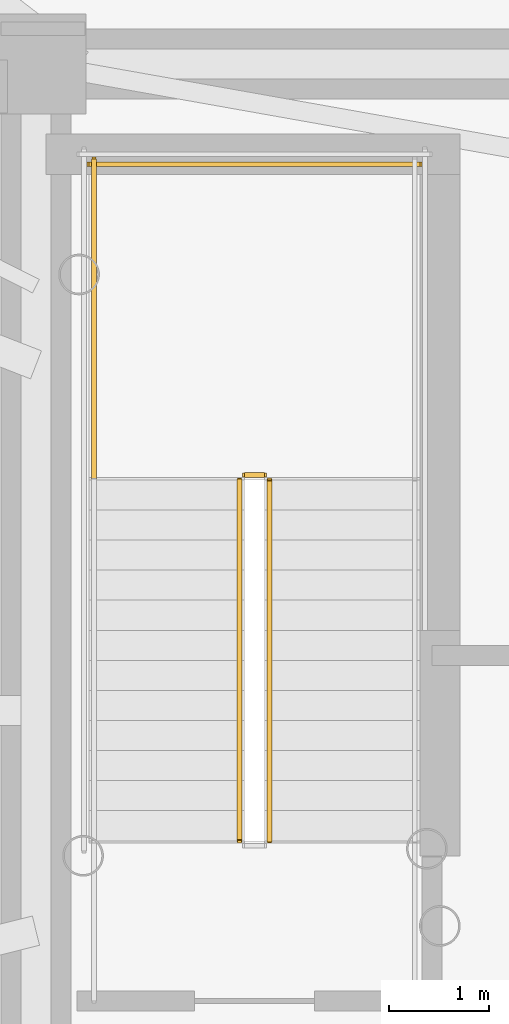
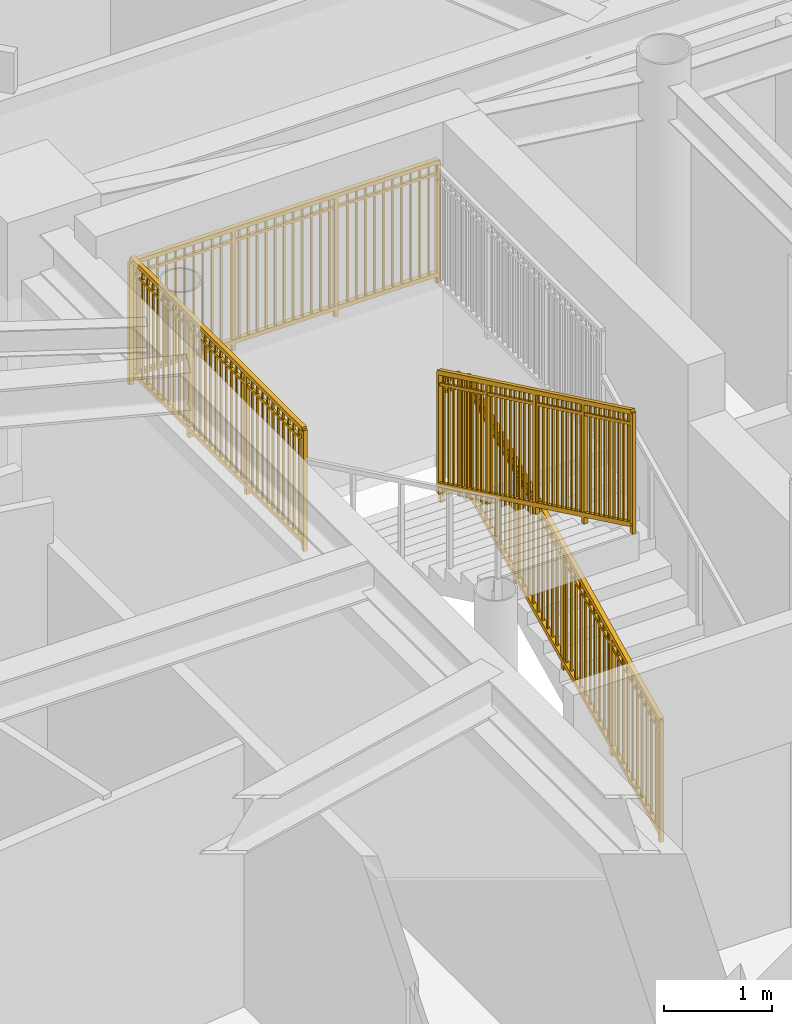
# One storey, part 14 of 18: 5 railings.
"""IFC4 building model written with IfcOpenShell, lengths in metres."""

import ifcopenshell
import ifcopenshell.guid

model = None  # the IFC model being written
_history = None  # IfcOwnerHistory: only IFC2X3 demands one
_inside = {}  # id of a spatial element -> (the spatial element, [elements in it])
_under = {}  # id of a project, library or spatial element -> (it, [spatial elements below it])
_declared = {}  # id of a project -> (the project, [libraries it declares])
_typed = {}  # id of a type object -> (the type object, [elements of that type])
_made_of = {}  # id of a material, layer set ... -> (it, [elements and type objects made of it])


def new_model(schema):
    """Start an empty IFC model of exactly this schema.

    Asked for "IFC4X3", IfcOpenShell would pick the latest addendum, in which some entities
    have other attributes; the version numbers below select the first issue.
    IFC2X3 requires an IfcOwnerHistory on every rooted entity: one is made here for all.
    """
    global model, _history
    if schema == "IFC4X3":
        model = ifcopenshell.file(schema_version=(4, 3, 0, 0))
    else:
        model = ifcopenshell.file(schema=schema)
    _inside.clear()
    _under.clear()
    _declared.clear()
    _typed.clear()
    _made_of.clear()
    _history = None
    if model.schema == "IFC2X3":
        org = make("IfcOrganization", Name="unknown")
        user = make(
            "IfcPersonAndOrganization",
            ThePerson=make("IfcPerson", FamilyName="unknown"),
            TheOrganization=org,
        )
        app = make(
            "IfcApplication",
            ApplicationDeveloper=org,
            Version="unknown",
            ApplicationFullName="unknown",
            ApplicationIdentifier="unknown",
        )
        _history = make(
            "IfcOwnerHistory",
            OwningUser=user,
            OwningApplication=app,
            ChangeAction="ADDED",
            CreationDate=0,
        )
    return model


def make(cls, **values):
    """One entity of the class cls with the attributes given. An attribute that is None is left unset."""
    return model.create_entity(
        cls, **{name: value for name, value in values.items() if value is not None}
    )


def rooted(cls, **values):
    """An entity with a GlobalId (a new one), such as an element, a storey or a relation."""
    return make(cls, GlobalId=ifcopenshell.guid.new(), OwnerHistory=_history, **values)


def si_unit(unit_type, name, prefix=None):
    """IfcSIUnit, for example si_unit("LENGTHUNIT", "METRE", prefix="MILLI")."""
    return make("IfcSIUnit", UnitType=unit_type, Prefix=prefix, Name=name)


def assignment(units):
    """IfcUnitAssignment: the units of a project."""
    return None if units is None else make("IfcUnitAssignment", Units=units)


def point(xyz):
    """IfcCartesianPoint."""
    return None if xyz is None else make("IfcCartesianPoint", Coordinates=xyz)


def direction(xyz):
    """IfcDirection."""
    return None if xyz is None else make("IfcDirection", DirectionRatios=xyz)


def frame(location, z_axis=None, x_axis=None):
    """IfcAxis2Placement3D, a coordinate frame: its origin and axes. An axis left out is left unset."""
    return make(
        "IfcAxis2Placement3D",
        Location=point(location),
        Axis=direction(z_axis),
        RefDirection=direction(x_axis),
    )


def frame_2d(location, x_axis=None):
    """IfcAxis2Placement2D, a coordinate frame in the plane: its origin and x axis."""
    return make(
        "IfcAxis2Placement2D", Location=point(location), RefDirection=direction(x_axis)
    )


def origin():
    """The frame at (0, 0, 0) with its axes left unset."""
    return frame((0.0, 0.0, 0.0))


def origin_2d():
    """The frame at (0, 0) in the plane with its x axis left unset."""
    return frame_2d((0.0, 0.0))


def place(relative_to, where):
    """IfcLocalPlacement: puts the frame where relative to a parent placement (None: the world)."""
    return make(
        "IfcLocalPlacement", PlacementRelTo=relative_to, RelativePlacement=where
    )


def context(
    kind, dimensions, precision=None, world=None, true_north=None, identifier=None
):
    """IfcGeometricRepresentationContext, for example the 3D "Model" context."""
    return make(
        "IfcGeometricRepresentationContext",
        ContextIdentifier=identifier,
        ContextType=kind,
        CoordinateSpaceDimension=dimensions,
        Precision=precision,
        WorldCoordinateSystem=world,
        TrueNorth=true_north,
    )


def subcontext(parent, identifier, kind, view, scale=None):
    """IfcGeometricRepresentationSubContext, for example "Body" below "Model"."""
    return make(
        "IfcGeometricRepresentationSubContext",
        ContextIdentifier=identifier,
        ContextType=kind,
        ParentContext=parent,
        TargetScale=scale,
        TargetView=view,
    )


def project(units=None, contexts=None):
    """IfcProject with its units and contexts."""
    return rooted(
        "IfcProject",
        Name="project",
        RepresentationContexts=contexts,
        UnitsInContext=assignment(units),
    )


def spatial(cls, under=None, at=None, **own):
    """A site, building, storey or space (cls), placed at a placement, below another one or the project."""
    s = rooted(cls, ObjectPlacement=at, **own)
    if under is not None:
        _under.setdefault(under.id(), (under, []))[1].append(s)
    return s


def profile(cls, at=None, kind="AREA", **sizes):
    """A parametric profile (cls). Its sizes go by their IFC names, for example OverallWidth=200.0."""
    return make(cls, ProfileType=kind, Position=at, **sizes)


def rectangle(**sizes):
    """IfcRectangleProfileDef."""
    return profile("IfcRectangleProfileDef", **sizes)


def extrude(swept, where, along, depth):
    """IfcExtrudedAreaSolid: the profile swept, set in the frame where, extruded along a direction by depth."""
    return make(
        "IfcExtrudedAreaSolid",
        SweptArea=swept,
        Position=where,
        ExtrudedDirection=direction(along),
        Depth=depth,
    )


def shape(context_of_items, identifier, shape_type, items):
    """IfcShapeRepresentation: the items that make up one representation, for example the "Body"."""
    return make(
        "IfcShapeRepresentation",
        ContextOfItems=context_of_items,
        RepresentationIdentifier=identifier,
        RepresentationType=shape_type,
        Items=items,
    )


def source(mapping_origin, context_of_items, identifier, shape_type, items):
    """IfcRepresentationMap: a shape defined once, which mapped items show again and again."""
    return make(
        "IfcRepresentationMap",
        MappingOrigin=mapping_origin,
        MappedRepresentation=shape(context_of_items, identifier, shape_type, items),
    )


def transform(
    local_origin,
    x_axis=None,
    y_axis=None,
    z_axis=None,
    scale=None,
    scale2=None,
    scale3=None,
    uniform=True,
):
    """IfcCartesianTransformationOperator3D, or its non-uniform kind. x_axis, y_axis, z_axis: its Axis1, 2, 3."""
    if uniform:
        return make(
            "IfcCartesianTransformationOperator3D",
            Axis1=direction(x_axis),
            Axis2=direction(y_axis),
            LocalOrigin=point(local_origin),
            Scale=scale,
            Axis3=direction(z_axis),
        )
    return make(
        "IfcCartesianTransformationOperator3DnonUniform",
        Axis1=direction(x_axis),
        Axis2=direction(y_axis),
        LocalOrigin=point(local_origin),
        Scale=scale,
        Axis3=direction(z_axis),
        Scale2=scale2,
        Scale3=scale3,
    )


def mapped(mapping_source, mapping_target):
    """IfcMappedItem: shows the shape of a source again, moved by a transform."""
    return make(
        "IfcMappedItem", MappingSource=mapping_source, MappingTarget=mapping_target
    )


def material(Name=None, Category=None):
    """IfcMaterial."""
    return make("IfcMaterial", Name=Name, Category=Category)


def made_of(thing, what):
    """Note that an element or type object is made of a material, layer set ...; save() writes the relation."""
    if what is not None:
        _made_of.setdefault(what.id(), (what, []))[1].append(thing)
    return thing


def type_object(cls, material=None, **own):
    """A type object (cls), such as IfcWallType, which elements share."""
    return made_of(rooted(cls, **own), material)


def element(
    cls,
    number,
    at=None,
    inside=None,
    cuts=None,
    type_object=None,
    material=None,
    context=None,
    identifier="Body",
    shape_type=None,
    held_by="IfcProductDefinitionShape",
    body=None,
    shapes=None,
    **own,
):
    """One element of the class cls, such as IfcWall. Its Tag is "e" and its number.

    at: its placement. inside: the storey or other place that contains it. cuts: it is an
    opening in that element (IfcRelVoidsElement). A single representation is given by context,
    identifier, shape_type and body (its items); several are given by shapes. held_by: the class
    of the entity that holds the representations. save() writes the other relations.
    """
    e = rooted(cls, Tag="e%d" % number, ObjectPlacement=at, **own)
    if body is not None:
        shapes = [shape(context, identifier, shape_type, body)]
    if shapes is not None:
        e.Representation = make(held_by, Representations=shapes)
    if inside is not None:
        _inside.setdefault(inside.id(), (inside, []))[1].append(e)
    if cuts is not None:
        rooted(
            "IfcRelVoidsElement", RelatingBuildingElement=cuts, RelatedOpeningElement=e
        )
    if type_object is not None:
        _typed.setdefault(type_object.id(), (type_object, []))[1].append(e)
    return made_of(e, material)


def aggregate(whole, parts):
    """IfcRelAggregates: a whole, such as a stair, and the parts it consists of."""
    return rooted("IfcRelAggregates", RelatingObject=whole, RelatedObjects=parts)


def save(model, path):
    """Write the relations noted so far, then the file.

    IfcRelAggregates (storeys below a building ...), IfcRelContainedInSpatialStructure (elements
    in a storey), IfcRelDefinesByType, IfcRelAssociatesMaterial and IfcRelDeclares: one each for
    every whole, place, type object, material and project.
    """
    for whole, parts in _under.values():
        aggregate(whole, parts)
    for where, things in _inside.values():
        rooted(
            "IfcRelContainedInSpatialStructure",
            RelatedElements=things,
            RelatingStructure=where,
        )
    for kind, things in _typed.values():
        rooted("IfcRelDefinesByType", RelatedObjects=things, RelatingType=kind)
    for what, things in _made_of.values():
        rooted("IfcRelAssociatesMaterial", RelatedObjects=things, RelatingMaterial=what)
    for by, libraries in _declared.values():
        rooted("IfcRelDeclares", RelatingContext=by, RelatedDefinitions=libraries)
    model.write(path)


model = new_model("IFC4")

# Units and contexts
model_context = context("Model", 3, precision=1e-05, world=origin(), true_north=direction((0.0, 1.0)))
body_context = subcontext(model_context, "Body", "Model", "MODEL_VIEW")
ifc_project = project(units=[si_unit("LENGTHUNIT", "METRE"), si_unit("AREAUNIT", "SQUARE_METRE"), si_unit("VOLUMEUNIT", "CUBIC_METRE"), si_unit("PLANEANGLEUNIT", "RADIAN"), si_unit("MASSUNIT", "GRAM", prefix="KILO")], contexts=[model_context])

# Site, building, storey
site_placement = place(None, origin())
site = spatial("IfcSite", under=ifc_project, at=site_placement, CompositionType="ELEMENT")
building_placement = place(site_placement, origin())
building = spatial("IfcBuilding", under=site, at=building_placement, Name="Linh Dai School and Residence Tower", CompositionType="ELEMENT")
storey_placement = place(building_placement, frame((0.0, 0.0, 295.5)))
storey = spatial("IfcBuildingStorey", under=building, at=storey_placement, Name="L73", CompositionType="ELEMENT", Elevation=295.5)

# Railings
ifc_material = material(Name="Structural Steel S355JR", Category="steel")
railing_type = type_object("IfcRailingType", Name="RL-ST-GUARD-1400", PredefinedType="GUARDRAIL", material=ifc_material)
shared_shape_1 = source(origin(), body_context, "Body", "SweptSolid", [
    extrude(rectangle(XDim=0.048095703125, YDim=0.048095703125, at=origin_2d()), frame((0.0, 0.0, 1.3759765625), z_axis=(-1.0, 0.0, 0.0), x_axis=(0.0, -1.0, 0.0)), (0.0, 0.0, 1.0), 0.199951171875),
    extrude(rectangle(XDim=0.048095703125, YDim=0.048095703125, at=origin_2d()), frame((0.0, 0.0, 0.10009765625), z_axis=(-1.0, 0.0, 0.0), x_axis=(0.0, -1.0, 0.0)), (0.0, 0.0, 1.0), 0.199951171875),
    extrude(rectangle(XDim=0.030029296875, YDim=0.030029296875, at=origin_2d()), frame((0.0, 0.0, 1.239990234375), z_axis=(-1.0, 0.0, 0.0), x_axis=(0.0, -1.0, 0.0)), (0.0, 0.0, 1.0), 0.199951171875),
    extrude(rectangle(XDim=0.0419921875, YDim=0.0419921875, at=origin_2d()), origin(), (0.0, 0.0, 1.0), 1.3759765625),
    extrude(rectangle(XDim=0.0419921875, YDim=0.0419921875, at=origin_2d()), frame((-0.199951171875, 0.0, 0.0)), (0.0, 0.0, 1.0), 1.3759765625),
])
railing_1_placement = place(storey_placement, frame((29.429931640625, 29.35009765625, 1.875)))
element("IfcRailing", 1, at=railing_1_placement, inside=storey, type_object=railing_type, Name="L73 ST1 stair guard 2", PredefinedType="GUARDRAIL", context=body_context, shape_type="MappedRepresentation", body=[
    mapped(shared_shape_1, transform((0.0, 0.0, 0.0), x_axis=(1.0, 0.0, 0.0), y_axis=(0.0, 1.0, 0.0), z_axis=(0.0, 0.0, 1.0), scale=1.0)),
])
shared_shape_2 = source(origin(), body_context, "Body", "SweptSolid", [
    extrude(rectangle(XDim=0.048095703125, YDim=0.048095703125, at=origin_2d()), frame((0.0, 0.0, 1.3759765625), z_axis=(-1.0, 0.0, 0.0), x_axis=(0.0, -1.0, 0.0)), (0.0, 0.0, 1.0), 3.300048828125),
    extrude(rectangle(XDim=0.048095703125, YDim=0.048095703125, at=origin_2d()), frame((0.0, 0.0, 0.10009765625), z_axis=(-1.0, 0.0, 0.0), x_axis=(0.0, -1.0, 0.0)), (0.0, 0.0, 1.0), 3.300048828125),
    extrude(rectangle(XDim=0.030029296875, YDim=0.030029296875, at=origin_2d()), frame((0.0, 0.0, 1.239990234375), z_axis=(-1.0, 0.0, 0.0), x_axis=(0.0, -1.0, 0.0)), (0.0, 0.0, 1.0), 3.300048828125),
    extrude(rectangle(XDim=0.02001953125, YDim=0.02001953125, at=origin_2d()), frame((-0.09716796875, 0.0, 0.10009765625)), (0.0, 0.0, 1.0), 1.251708984375),
    extrude(rectangle(XDim=0.02001953125, YDim=0.02001953125, at=origin_2d()), frame((-0.194091796875, 0.0, 0.10009765625)), (0.0, 0.0, 1.0), 1.251708984375),
    extrude(rectangle(XDim=0.02001953125, YDim=0.02001953125, at=origin_2d()), frame((-0.291259765625, 0.0, 0.10009765625)), (0.0, 0.0, 1.0), 1.251708984375),
    extrude(rectangle(XDim=0.02001953125, YDim=0.02001953125, at=origin_2d()), frame((-0.38818359375, 0.0, 0.10009765625)), (0.0, 0.0, 1.0), 1.251708984375),
    extrude(rectangle(XDim=0.02001953125, YDim=0.02001953125, at=origin_2d()), frame((-0.4853515625, 0.0, 0.10009765625)), (0.0, 0.0, 1.0), 1.251708984375),
    extrude(rectangle(XDim=0.02001953125, YDim=0.02001953125, at=origin_2d()), frame((-0.582275390625, 0.0, 0.10009765625)), (0.0, 0.0, 1.0), 1.251708984375),
    extrude(rectangle(XDim=0.02001953125, YDim=0.02001953125, at=origin_2d()), frame((-0.679443359375, 0.0, 0.10009765625)), (0.0, 0.0, 1.0), 1.251708984375),
    extrude(rectangle(XDim=0.02001953125, YDim=0.02001953125, at=origin_2d()), frame((-0.7763671875, 0.0, 0.10009765625)), (0.0, 0.0, 1.0), 1.251708984375),
    extrude(rectangle(XDim=0.02001953125, YDim=0.02001953125, at=origin_2d()), frame((-0.87353515625, 0.0, 0.10009765625)), (0.0, 0.0, 1.0), 1.251708984375),
    extrude(rectangle(XDim=0.02001953125, YDim=0.02001953125, at=origin_2d()), frame((-0.970703125, 0.0, 0.10009765625)), (0.0, 0.0, 1.0), 1.251708984375),
    extrude(rectangle(XDim=0.02001953125, YDim=0.02001953125, at=origin_2d()), frame((-1.164794921875, 0.0, 0.10009765625)), (0.0, 0.0, 1.0), 1.251708984375),
    extrude(rectangle(XDim=0.02001953125, YDim=0.02001953125, at=origin_2d()), frame((-1.26171875, 0.0, 0.10009765625)), (0.0, 0.0, 1.0), 1.251708984375),
    extrude(rectangle(XDim=0.02001953125, YDim=0.02001953125, at=origin_2d()), frame((-1.35888671875, 0.0, 0.10009765625)), (0.0, 0.0, 1.0), 1.251708984375),
    extrude(rectangle(XDim=0.02001953125, YDim=0.02001953125, at=origin_2d()), frame((-1.455810546875, 0.0, 0.10009765625)), (0.0, 0.0, 1.0), 1.251708984375),
    extrude(rectangle(XDim=0.02001953125, YDim=0.02001953125, at=origin_2d()), frame((-1.552978515625, 0.0, 0.10009765625)), (0.0, 0.0, 1.0), 1.251708984375),
    extrude(rectangle(XDim=0.02001953125, YDim=0.02001953125, at=origin_2d()), frame((-1.64990234375, 0.0, 0.10009765625)), (0.0, 0.0, 1.0), 1.251708984375),
    extrude(rectangle(XDim=0.02001953125, YDim=0.02001953125, at=origin_2d()), frame((-1.7470703125, 0.0, 0.10009765625)), (0.0, 0.0, 1.0), 1.251708984375),
    extrude(rectangle(XDim=0.02001953125, YDim=0.02001953125, at=origin_2d()), frame((-1.84423828125, 0.0, 0.10009765625)), (0.0, 0.0, 1.0), 1.251708984375),
    extrude(rectangle(XDim=0.02001953125, YDim=0.02001953125, at=origin_2d()), frame((-1.941162109375, 0.0, 0.10009765625)), (0.0, 0.0, 1.0), 1.251708984375),
    extrude(rectangle(XDim=0.02001953125, YDim=0.02001953125, at=origin_2d()), frame((-2.038330078125, 0.0, 0.10009765625)), (0.0, 0.0, 1.0), 1.251708984375),
    extrude(rectangle(XDim=0.02001953125, YDim=0.02001953125, at=origin_2d()), frame((-2.13525390625, 0.0, 0.10009765625)), (0.0, 0.0, 1.0), 1.251708984375),
    extrude(rectangle(XDim=0.02001953125, YDim=0.02001953125, at=origin_2d()), frame((-2.329345703125, 0.0, 0.10009765625)), (0.0, 0.0, 1.0), 1.251708984375),
    extrude(rectangle(XDim=0.02001953125, YDim=0.02001953125, at=origin_2d()), frame((-2.426513671875, 0.0, 0.10009765625)), (0.0, 0.0, 1.0), 1.251708984375),
    extrude(rectangle(XDim=0.02001953125, YDim=0.02001953125, at=origin_2d()), frame((-2.523681640625, 0.0, 0.10009765625)), (0.0, 0.0, 1.0), 1.251708984375),
    extrude(rectangle(XDim=0.02001953125, YDim=0.02001953125, at=origin_2d()), frame((-2.62060546875, 0.0, 0.10009765625)), (0.0, 0.0, 1.0), 1.251708984375),
    extrude(rectangle(XDim=0.02001953125, YDim=0.02001953125, at=origin_2d()), frame((-2.7177734375, 0.0, 0.10009765625)), (0.0, 0.0, 1.0), 1.251708984375),
    extrude(rectangle(XDim=0.02001953125, YDim=0.02001953125, at=origin_2d()), frame((-2.814697265625, 0.0, 0.10009765625)), (0.0, 0.0, 1.0), 1.251708984375),
    extrude(rectangle(XDim=0.02001953125, YDim=0.02001953125, at=origin_2d()), frame((-2.911865234375, 0.0, 0.10009765625)), (0.0, 0.0, 1.0), 1.251708984375),
    extrude(rectangle(XDim=0.02001953125, YDim=0.02001953125, at=origin_2d()), frame((-3.0087890625, 0.0, 0.10009765625)), (0.0, 0.0, 1.0), 1.251708984375),
    extrude(rectangle(XDim=0.02001953125, YDim=0.02001953125, at=origin_2d()), frame((-3.10595703125, 0.0, 0.10009765625)), (0.0, 0.0, 1.0), 1.251708984375),
    extrude(rectangle(XDim=0.02001953125, YDim=0.02001953125, at=origin_2d()), frame((-3.202880859375, 0.0, 0.10009765625)), (0.0, 0.0, 1.0), 1.251708984375),
    extrude(rectangle(XDim=0.0419921875, YDim=0.0419921875, at=origin_2d()), origin(), (0.0, 0.0, 1.0), 1.3759765625),
    extrude(rectangle(XDim=0.0419921875, YDim=0.0419921875, at=origin_2d()), frame((-1.10009765625, 0.0, 0.0)), (0.0, 0.0, 1.0), 1.3759765625),
    extrude(rectangle(XDim=0.0419921875, YDim=0.0419921875, at=origin_2d()), frame((-2.199951171875, 0.0, 0.0)), (0.0, 0.0, 1.0), 1.3759765625),
    extrude(rectangle(XDim=0.0419921875, YDim=0.0419921875, at=origin_2d()), frame((-3.300048828125, 0.0, 0.0)), (0.0, 0.0, 1.0), 1.3759765625),
])
railing_2_placement = place(storey_placement, frame((30.97998046875, 32.449951171875, 1.875)))
element("IfcRailing", 2, at=railing_2_placement, inside=storey, type_object=railing_type, Name="L73 ST1 stair guard 5", PredefinedType="GUARDRAIL", context=body_context, shape_type="MappedRepresentation", body=[
    mapped(shared_shape_2, transform((0.0, 0.0, 0.0), x_axis=(1.0, 0.0, 0.0), y_axis=(0.0, 1.0, 0.0), z_axis=(0.0, 0.0, 1.0), scale=1.0)),
])
shared_shape_3 = source(origin(), body_context, "Body", "SweptSolid", [
    extrude(rectangle(XDim=0.048095703125, YDim=0.048095703125, at=origin_2d()), frame((0.0, 0.0, 1.3759765625), z_axis=(0.0, 0.901262522062, 0.433273431364), x_axis=(-1.0, 0.0, 0.0)), (0.0, 0.0, 1.0), 3.994384765625),
    extrude(rectangle(XDim=0.048095703125, YDim=0.048095703125, at=origin_2d()), frame((0.0, 0.0, 0.10009765625), z_axis=(0.0, 0.901262522062, 0.433273431364), x_axis=(-1.0, 0.0, 0.0)), (0.0, 0.0, 1.0), 3.994384765625),
    extrude(rectangle(XDim=0.030029296875, YDim=0.030029296875, at=origin_2d()), frame((0.0, 0.0, 1.239990234375), z_axis=(0.0, 0.901262522062, 0.433273431364), x_axis=(-1.0, 0.0, 0.0)), (0.0, 0.0, 1.0), 3.994384765625),
    extrude(rectangle(XDim=0.02001953125, YDim=0.02001953125, at=origin_2d()), frame((0.0, 0.087890625, 0.142333984375)), (0.0, 0.0, 1.0), 1.251708984375),
    extrude(rectangle(XDim=0.02001953125, YDim=0.02001953125, at=origin_2d()), frame((0.0, 0.175537109375, 0.1845703125)), (0.0, 0.0, 1.0), 1.251708984375),
    extrude(rectangle(XDim=0.02001953125, YDim=0.02001953125, at=origin_2d()), frame((0.0, 0.263427734375, 0.226806640625)), (0.0, 0.0, 1.0), 1.251708984375),
    extrude(rectangle(XDim=0.02001953125, YDim=0.02001953125, at=origin_2d()), frame((0.0, 0.351318359375, 0.26904296875)), (0.0, 0.0, 1.0), 1.251708984375),
    extrude(rectangle(XDim=0.02001953125, YDim=0.02001953125, at=origin_2d()), frame((0.0, 0.43896484375, 0.311279296875)), (0.0, 0.0, 1.0), 1.251708984375),
    extrude(rectangle(XDim=0.02001953125, YDim=0.02001953125, at=origin_2d()), frame((0.0, 0.52685546875, 0.353271484375)), (0.0, 0.0, 1.0), 1.251708984375),
    extrude(rectangle(XDim=0.02001953125, YDim=0.02001953125, at=origin_2d()), frame((0.0, 0.61474609375, 0.3955078125)), (0.0, 0.0, 1.0), 1.251708984375),
    extrude(rectangle(XDim=0.02001953125, YDim=0.02001953125, at=origin_2d()), frame((0.0, 0.702392578125, 0.437744140625)), (0.0, 0.0, 1.0), 1.251708984375),
    extrude(rectangle(XDim=0.02001953125, YDim=0.02001953125, at=origin_2d()), frame((0.0, 0.790283203125, 0.47998046875)), (0.0, 0.0, 1.0), 1.251708984375),
    extrude(rectangle(XDim=0.02001953125, YDim=0.02001953125, at=origin_2d()), frame((0.0, 0.9658203125, 0.564453125)), (0.0, 0.0, 1.0), 1.251708984375),
    extrude(rectangle(XDim=0.02001953125, YDim=0.02001953125, at=origin_2d()), frame((0.0, 1.0537109375, 0.606689453125)), (0.0, 0.0, 1.0), 1.251708984375),
    extrude(rectangle(XDim=0.02001953125, YDim=0.02001953125, at=origin_2d()), frame((0.0, 1.1416015625, 0.64892578125)), (0.0, 0.0, 1.0), 1.251708984375),
    extrude(rectangle(XDim=0.02001953125, YDim=0.02001953125, at=origin_2d()), frame((0.0, 1.229248046875, 0.691162109375)), (0.0, 0.0, 1.0), 1.251708984375),
    extrude(rectangle(XDim=0.02001953125, YDim=0.02001953125, at=origin_2d()), frame((0.0, 1.317138671875, 0.7333984375)), (0.0, 0.0, 1.0), 1.251708984375),
    extrude(rectangle(XDim=0.02001953125, YDim=0.02001953125, at=origin_2d()), frame((0.0, 1.405029296875, 0.775390625)), (0.0, 0.0, 1.0), 1.251708984375),
    extrude(rectangle(XDim=0.02001953125, YDim=0.02001953125, at=origin_2d()), frame((0.0, 1.49267578125, 0.817626953125)), (0.0, 0.0, 1.0), 1.251708984375),
    extrude(rectangle(XDim=0.02001953125, YDim=0.02001953125, at=origin_2d()), frame((0.0, 1.58056640625, 0.85986328125)), (0.0, 0.0, 1.0), 1.251708984375),
    extrude(rectangle(XDim=0.02001953125, YDim=0.02001953125, at=origin_2d()), frame((0.0, 1.66845703125, 0.902099609375)), (0.0, 0.0, 1.0), 1.251708984375),
    extrude(rectangle(XDim=0.02001953125, YDim=0.02001953125, at=origin_2d()), frame((0.0, 1.756103515625, 0.9443359375)), (0.0, 0.0, 1.0), 1.251708984375),
    extrude(rectangle(XDim=0.02001953125, YDim=0.02001953125, at=origin_2d()), frame((0.0, 1.843994140625, 0.986572265625)), (0.0, 0.0, 1.0), 1.251708984375),
    extrude(rectangle(XDim=0.02001953125, YDim=0.02001953125, at=origin_2d()), frame((0.0, 1.931640625, 1.02880859375)), (0.0, 0.0, 1.0), 1.251708984375),
    extrude(rectangle(XDim=0.02001953125, YDim=0.02001953125, at=origin_2d()), frame((0.0, 2.01953125, 1.071044921875)), (0.0, 0.0, 1.0), 1.251708984375),
    extrude(rectangle(XDim=0.02001953125, YDim=0.02001953125, at=origin_2d()), frame((0.0, 2.107421875, 1.11328125)), (0.0, 0.0, 1.0), 1.251708984375),
    extrude(rectangle(XDim=0.02001953125, YDim=0.02001953125, at=origin_2d()), frame((0.0, 2.195068359375, 1.155517578125)), (0.0, 0.0, 1.0), 1.251708984375),
    extrude(rectangle(XDim=0.02001953125, YDim=0.02001953125, at=origin_2d()), frame((0.0, 2.282958984375, 1.197509765625)), (0.0, 0.0, 1.0), 1.251708984375),
    extrude(rectangle(XDim=0.02001953125, YDim=0.02001953125, at=origin_2d()), frame((0.0, 2.370849609375, 1.23974609375)), (0.0, 0.0, 1.0), 1.251708984375),
    extrude(rectangle(XDim=0.02001953125, YDim=0.02001953125, at=origin_2d()), frame((0.0, 2.45849609375, 1.281982421875)), (0.0, 0.0, 1.0), 1.251708984375),
    extrude(rectangle(XDim=0.02001953125, YDim=0.02001953125, at=origin_2d()), frame((0.0, 2.54638671875, 1.32421875)), (0.0, 0.0, 1.0), 1.251708984375),
    extrude(rectangle(XDim=0.02001953125, YDim=0.02001953125, at=origin_2d()), frame((0.0, 2.63427734375, 1.366455078125)), (0.0, 0.0, 1.0), 1.251708984375),
    extrude(rectangle(XDim=0.02001953125, YDim=0.02001953125, at=origin_2d()), frame((0.0, 2.809814453125, 1.450927734375)), (0.0, 0.0, 1.0), 1.251708984375),
    extrude(rectangle(XDim=0.02001953125, YDim=0.02001953125, at=origin_2d()), frame((0.0, 2.897705078125, 1.4931640625)), (0.0, 0.0, 1.0), 1.251708984375),
    extrude(rectangle(XDim=0.02001953125, YDim=0.02001953125, at=origin_2d()), frame((0.0, 2.9853515625, 1.535400390625)), (0.0, 0.0, 1.0), 1.251708984375),
    extrude(rectangle(XDim=0.02001953125, YDim=0.02001953125, at=origin_2d()), frame((0.0, 3.0732421875, 1.57763671875)), (0.0, 0.0, 1.0), 1.251708984375),
    extrude(rectangle(XDim=0.02001953125, YDim=0.02001953125, at=origin_2d()), frame((0.0, 3.1611328125, 1.61962890625)), (0.0, 0.0, 1.0), 1.251708984375),
    extrude(rectangle(XDim=0.02001953125, YDim=0.02001953125, at=origin_2d()), frame((0.0, 3.248779296875, 1.661865234375)), (0.0, 0.0, 1.0), 1.251708984375),
    extrude(rectangle(XDim=0.02001953125, YDim=0.02001953125, at=origin_2d()), frame((0.0, 3.336669921875, 1.7041015625)), (0.0, 0.0, 1.0), 1.251708984375),
    extrude(rectangle(XDim=0.02001953125, YDim=0.02001953125, at=origin_2d()), frame((0.0, 3.424560546875, 1.746337890625)), (0.0, 0.0, 1.0), 1.251708984375),
    extrude(rectangle(XDim=0.02001953125, YDim=0.02001953125, at=origin_2d()), frame((0.0, 3.51220703125, 1.78857421875)), (0.0, 0.0, 1.0), 1.251708984375),
    extrude(rectangle(XDim=0.0419921875, YDim=0.0419921875, at=origin_2d()), origin(), (0.0, 0.0, 1.0), 1.3759765625),
    extrude(rectangle(XDim=0.0419921875, YDim=0.0419921875, at=origin_2d()), frame((0.0, 0.89990234375, 0.4326171875)), (0.0, 0.0, 1.0), 1.3759765625),
    extrude(rectangle(XDim=0.0419921875, YDim=0.0419921875, at=origin_2d()), frame((0.0, 1.800048828125, 0.865234375)), (0.0, 0.0, 1.0), 1.3759765625),
    extrude(rectangle(XDim=0.0419921875, YDim=0.0419921875, at=origin_2d()), frame((0.0, 2.7001953125, 1.298095703125)), (0.0, 0.0, 1.0), 1.3759765625),
    extrude(rectangle(XDim=0.0419921875, YDim=0.0419921875, at=origin_2d()), frame((0.0, 3.60009765625, 1.730712890625)), (0.0, 0.0, 1.0), 1.3759765625),
])
railing_3_placement = place(storey_placement, frame((29.47998046875, 25.699951171875, 0.144287109375)))
element("IfcRailing", 3, at=railing_3_placement, inside=storey, type_object=railing_type, Name="L73 ST1 stair guard 1", PredefinedType="GUARDRAIL", context=body_context, shape_type="MappedRepresentation", body=[
    mapped(shared_shape_3, transform((0.0, 0.0, 0.0), x_axis=(1.0, 0.0, 0.0), y_axis=(0.0, 1.0, 0.0), z_axis=(0.0, 0.0, 1.0), scale=1.0)),
])
shared_shape_4 = source(origin(), body_context, "Body", "SweptSolid", [
    extrude(rectangle(XDim=0.048095703125, YDim=0.048095703125, at=origin_2d()), frame((0.0, 0.0, 1.3759765625), z_axis=(0.0, 1.0, 0.0), x_axis=(-1.0, 0.0, 0.0)), (0.0, 0.0, 1.0), 3.199951171875),
    extrude(rectangle(XDim=0.048095703125, YDim=0.048095703125, at=origin_2d()), frame((0.0, 0.0, 0.10009765625), z_axis=(0.0, 1.0, 0.0), x_axis=(-1.0, 0.0, 0.0)), (0.0, 0.0, 1.0), 3.199951171875),
    extrude(rectangle(XDim=0.030029296875, YDim=0.030029296875, at=origin_2d()), frame((0.0, 0.0, 1.239990234375), z_axis=(0.0, 1.0, 0.0), x_axis=(-1.0, 0.0, 0.0)), (0.0, 0.0, 1.0), 3.199951171875),
    extrude(rectangle(XDim=0.02001953125, YDim=0.02001953125, at=origin_2d()), frame((0.0, 0.096923828125, 0.10009765625)), (0.0, 0.0, 1.0), 1.251708984375),
    extrude(rectangle(XDim=0.02001953125, YDim=0.02001953125, at=origin_2d()), frame((0.0, 0.19384765625, 0.10009765625)), (0.0, 0.0, 1.0), 1.251708984375),
    extrude(rectangle(XDim=0.02001953125, YDim=0.02001953125, at=origin_2d()), frame((0.0, 0.291015625, 0.10009765625)), (0.0, 0.0, 1.0), 1.251708984375),
    extrude(rectangle(XDim=0.02001953125, YDim=0.02001953125, at=origin_2d()), frame((0.0, 0.387939453125, 0.10009765625)), (0.0, 0.0, 1.0), 1.251708984375),
    extrude(rectangle(XDim=0.02001953125, YDim=0.02001953125, at=origin_2d()), frame((0.0, 0.48486328125, 0.10009765625)), (0.0, 0.0, 1.0), 1.251708984375),
    extrude(rectangle(XDim=0.02001953125, YDim=0.02001953125, at=origin_2d()), frame((0.0, 0.581787109375, 0.10009765625)), (0.0, 0.0, 1.0), 1.251708984375),
    extrude(rectangle(XDim=0.02001953125, YDim=0.02001953125, at=origin_2d()), frame((0.0, 0.6787109375, 0.10009765625)), (0.0, 0.0, 1.0), 1.251708984375),
    extrude(rectangle(XDim=0.02001953125, YDim=0.02001953125, at=origin_2d()), frame((0.0, 0.775634765625, 0.10009765625)), (0.0, 0.0, 1.0), 1.251708984375),
    extrude(rectangle(XDim=0.02001953125, YDim=0.02001953125, at=origin_2d()), frame((0.0, 0.872802734375, 0.10009765625)), (0.0, 0.0, 1.0), 1.251708984375),
    extrude(rectangle(XDim=0.02001953125, YDim=0.02001953125, at=origin_2d()), frame((0.0, 0.9697265625, 0.10009765625)), (0.0, 0.0, 1.0), 1.251708984375),
    extrude(rectangle(XDim=0.02001953125, YDim=0.02001953125, at=origin_2d()), frame((0.0, 1.16357421875, 0.10009765625)), (0.0, 0.0, 1.0), 1.251708984375),
    extrude(rectangle(XDim=0.02001953125, YDim=0.02001953125, at=origin_2d()), frame((0.0, 1.260498046875, 0.10009765625)), (0.0, 0.0, 1.0), 1.251708984375),
    extrude(rectangle(XDim=0.02001953125, YDim=0.02001953125, at=origin_2d()), frame((0.0, 1.357666015625, 0.10009765625)), (0.0, 0.0, 1.0), 1.251708984375),
    extrude(rectangle(XDim=0.02001953125, YDim=0.02001953125, at=origin_2d()), frame((0.0, 1.45458984375, 0.10009765625)), (0.0, 0.0, 1.0), 1.251708984375),
    extrude(rectangle(XDim=0.02001953125, YDim=0.02001953125, at=origin_2d()), frame((0.0, 1.551513671875, 0.10009765625)), (0.0, 0.0, 1.0), 1.251708984375),
    extrude(rectangle(XDim=0.02001953125, YDim=0.02001953125, at=origin_2d()), frame((0.0, 1.6484375, 0.10009765625)), (0.0, 0.0, 1.0), 1.251708984375),
    extrude(rectangle(XDim=0.02001953125, YDim=0.02001953125, at=origin_2d()), frame((0.0, 1.745361328125, 0.10009765625)), (0.0, 0.0, 1.0), 1.251708984375),
    extrude(rectangle(XDim=0.02001953125, YDim=0.02001953125, at=origin_2d()), frame((0.0, 1.84228515625, 0.10009765625)), (0.0, 0.0, 1.0), 1.251708984375),
    extrude(rectangle(XDim=0.02001953125, YDim=0.02001953125, at=origin_2d()), frame((0.0, 1.939453125, 0.10009765625)), (0.0, 0.0, 1.0), 1.251708984375),
    extrude(rectangle(XDim=0.02001953125, YDim=0.02001953125, at=origin_2d()), frame((0.0, 2.036376953125, 0.10009765625)), (0.0, 0.0, 1.0), 1.251708984375),
    extrude(rectangle(XDim=0.02001953125, YDim=0.02001953125, at=origin_2d()), frame((0.0, 2.230224609375, 0.10009765625)), (0.0, 0.0, 1.0), 1.251708984375),
    extrude(rectangle(XDim=0.02001953125, YDim=0.02001953125, at=origin_2d()), frame((0.0, 2.3271484375, 0.10009765625)), (0.0, 0.0, 1.0), 1.251708984375),
    extrude(rectangle(XDim=0.02001953125, YDim=0.02001953125, at=origin_2d()), frame((0.0, 2.42431640625, 0.10009765625)), (0.0, 0.0, 1.0), 1.251708984375),
    extrude(rectangle(XDim=0.02001953125, YDim=0.02001953125, at=origin_2d()), frame((0.0, 2.521240234375, 0.10009765625)), (0.0, 0.0, 1.0), 1.251708984375),
    extrude(rectangle(XDim=0.02001953125, YDim=0.02001953125, at=origin_2d()), frame((0.0, 2.6181640625, 0.10009765625)), (0.0, 0.0, 1.0), 1.251708984375),
    extrude(rectangle(XDim=0.02001953125, YDim=0.02001953125, at=origin_2d()), frame((0.0, 2.715087890625, 0.10009765625)), (0.0, 0.0, 1.0), 1.251708984375),
    extrude(rectangle(XDim=0.02001953125, YDim=0.02001953125, at=origin_2d()), frame((0.0, 2.81201171875, 0.10009765625)), (0.0, 0.0, 1.0), 1.251708984375),
    extrude(rectangle(XDim=0.02001953125, YDim=0.02001953125, at=origin_2d()), frame((0.0, 2.908935546875, 0.10009765625)), (0.0, 0.0, 1.0), 1.251708984375),
    extrude(rectangle(XDim=0.02001953125, YDim=0.02001953125, at=origin_2d()), frame((0.0, 3.006103515625, 0.10009765625)), (0.0, 0.0, 1.0), 1.251708984375),
    extrude(rectangle(XDim=0.02001953125, YDim=0.02001953125, at=origin_2d()), frame((0.0, 3.10302734375, 0.10009765625)), (0.0, 0.0, 1.0), 1.251708984375),
    extrude(rectangle(XDim=0.0419921875, YDim=0.0419921875, at=origin_2d()), origin(), (0.0, 0.0, 1.0), 1.3759765625),
    extrude(rectangle(XDim=0.0419921875, YDim=0.0419921875, at=origin_2d()), frame((0.0, 1.066650390625, 0.0)), (0.0, 0.0, 1.0), 1.3759765625),
    extrude(rectangle(XDim=0.0419921875, YDim=0.0419921875, at=origin_2d()), frame((0.0, 2.13330078125, 0.0)), (0.0, 0.0, 1.0), 1.3759765625),
    extrude(rectangle(XDim=0.0419921875, YDim=0.0419921875, at=origin_2d()), frame((0.0, 3.199951171875, 0.0)), (0.0, 0.0, 1.0), 1.3759765625),
])
railing_4_placement = place(storey_placement, frame((27.72998046875, 29.300048828125, 1.875)))
element("IfcRailing", 4, at=railing_4_placement, inside=storey, type_object=railing_type, Name="L73 ST1 stair guard 4", PredefinedType="GUARDRAIL", context=body_context, shape_type="MappedRepresentation", body=[
    mapped(shared_shape_4, transform((0.0, 0.0, 0.0), x_axis=(1.0, 0.0, 0.0), y_axis=(0.0, 1.0, 0.0), z_axis=(0.0, 0.0, 1.0), scale=1.0)),
])
shared_shape_5 = source(origin(), body_context, "Body", "SweptSolid", [
    extrude(rectangle(XDim=0.048095703125, YDim=0.048095703125, at=origin_2d()), frame((0.0, 0.0, 1.3759765625), z_axis=(0.0, -0.901262522062, 0.433273431364), x_axis=(1.0, 0.0, 0.0)), (0.0, 0.0, 1.0), 3.994384765625),
    extrude(rectangle(XDim=0.048095703125, YDim=0.048095703125, at=origin_2d()), frame((0.0, 0.0, 0.10009765625), z_axis=(0.0, -0.901262522062, 0.433273431364), x_axis=(1.0, 0.0, 0.0)), (0.0, 0.0, 1.0), 3.994384765625),
    extrude(rectangle(XDim=0.030029296875, YDim=0.030029296875, at=origin_2d()), frame((0.0, 0.0, 1.239990234375), z_axis=(0.0, -0.901262522062, 0.433273431364), x_axis=(1.0, 0.0, 0.0)), (0.0, 0.0, 1.0), 3.994384765625),
    extrude(rectangle(XDim=0.02001953125, YDim=0.02001953125, at=origin_2d()), frame((0.0, -0.087890625, 0.142333984375)), (0.0, 0.0, 1.0), 1.251708984375),
    extrude(rectangle(XDim=0.02001953125, YDim=0.02001953125, at=origin_2d()), frame((0.0, -0.175537109375, 0.1845703125)), (0.0, 0.0, 1.0), 1.251708984375),
    extrude(rectangle(XDim=0.02001953125, YDim=0.02001953125, at=origin_2d()), frame((0.0, -0.263427734375, 0.226806640625)), (0.0, 0.0, 1.0), 1.251708984375),
    extrude(rectangle(XDim=0.02001953125, YDim=0.02001953125, at=origin_2d()), frame((0.0, -0.351318359375, 0.26904296875)), (0.0, 0.0, 1.0), 1.251708984375),
    extrude(rectangle(XDim=0.02001953125, YDim=0.02001953125, at=origin_2d()), frame((0.0, -0.43896484375, 0.311279296875)), (0.0, 0.0, 1.0), 1.251708984375),
    extrude(rectangle(XDim=0.02001953125, YDim=0.02001953125, at=origin_2d()), frame((0.0, -0.52685546875, 0.353271484375)), (0.0, 0.0, 1.0), 1.251708984375),
    extrude(rectangle(XDim=0.02001953125, YDim=0.02001953125, at=origin_2d()), frame((0.0, -0.61474609375, 0.3955078125)), (0.0, 0.0, 1.0), 1.251708984375),
    extrude(rectangle(XDim=0.02001953125, YDim=0.02001953125, at=origin_2d()), frame((0.0, -0.702392578125, 0.437744140625)), (0.0, 0.0, 1.0), 1.251708984375),
    extrude(rectangle(XDim=0.02001953125, YDim=0.02001953125, at=origin_2d()), frame((0.0, -0.790283203125, 0.47998046875)), (0.0, 0.0, 1.0), 1.251708984375),
    extrude(rectangle(XDim=0.02001953125, YDim=0.02001953125, at=origin_2d()), frame((0.0, -0.9658203125, 0.564453125)), (0.0, 0.0, 1.0), 1.251708984375),
    extrude(rectangle(XDim=0.02001953125, YDim=0.02001953125, at=origin_2d()), frame((0.0, -1.0537109375, 0.606689453125)), (0.0, 0.0, 1.0), 1.251708984375),
    extrude(rectangle(XDim=0.02001953125, YDim=0.02001953125, at=origin_2d()), frame((0.0, -1.1416015625, 0.64892578125)), (0.0, 0.0, 1.0), 1.251708984375),
    extrude(rectangle(XDim=0.02001953125, YDim=0.02001953125, at=origin_2d()), frame((0.0, -1.229248046875, 0.691162109375)), (0.0, 0.0, 1.0), 1.251708984375),
    extrude(rectangle(XDim=0.02001953125, YDim=0.02001953125, at=origin_2d()), frame((0.0, -1.317138671875, 0.7333984375)), (0.0, 0.0, 1.0), 1.251708984375),
    extrude(rectangle(XDim=0.02001953125, YDim=0.02001953125, at=origin_2d()), frame((0.0, -1.405029296875, 0.775390625)), (0.0, 0.0, 1.0), 1.251708984375),
    extrude(rectangle(XDim=0.02001953125, YDim=0.02001953125, at=origin_2d()), frame((0.0, -1.49267578125, 0.817626953125)), (0.0, 0.0, 1.0), 1.251708984375),
    extrude(rectangle(XDim=0.02001953125, YDim=0.02001953125, at=origin_2d()), frame((0.0, -1.58056640625, 0.85986328125)), (0.0, 0.0, 1.0), 1.251708984375),
    extrude(rectangle(XDim=0.02001953125, YDim=0.02001953125, at=origin_2d()), frame((0.0, -1.66845703125, 0.902099609375)), (0.0, 0.0, 1.0), 1.251708984375),
    extrude(rectangle(XDim=0.02001953125, YDim=0.02001953125, at=origin_2d()), frame((0.0, -1.756103515625, 0.9443359375)), (0.0, 0.0, 1.0), 1.251708984375),
    extrude(rectangle(XDim=0.02001953125, YDim=0.02001953125, at=origin_2d()), frame((0.0, -1.843994140625, 0.986572265625)), (0.0, 0.0, 1.0), 1.251708984375),
    extrude(rectangle(XDim=0.02001953125, YDim=0.02001953125, at=origin_2d()), frame((0.0, -1.931640625, 1.02880859375)), (0.0, 0.0, 1.0), 1.251708984375),
    extrude(rectangle(XDim=0.02001953125, YDim=0.02001953125, at=origin_2d()), frame((0.0, -2.01953125, 1.071044921875)), (0.0, 0.0, 1.0), 1.251708984375),
    extrude(rectangle(XDim=0.02001953125, YDim=0.02001953125, at=origin_2d()), frame((0.0, -2.107421875, 1.11328125)), (0.0, 0.0, 1.0), 1.251708984375),
    extrude(rectangle(XDim=0.02001953125, YDim=0.02001953125, at=origin_2d()), frame((0.0, -2.195068359375, 1.155517578125)), (0.0, 0.0, 1.0), 1.251708984375),
    extrude(rectangle(XDim=0.02001953125, YDim=0.02001953125, at=origin_2d()), frame((0.0, -2.282958984375, 1.197509765625)), (0.0, 0.0, 1.0), 1.251708984375),
    extrude(rectangle(XDim=0.02001953125, YDim=0.02001953125, at=origin_2d()), frame((0.0, -2.370849609375, 1.23974609375)), (0.0, 0.0, 1.0), 1.251708984375),
    extrude(rectangle(XDim=0.02001953125, YDim=0.02001953125, at=origin_2d()), frame((0.0, -2.45849609375, 1.281982421875)), (0.0, 0.0, 1.0), 1.251708984375),
    extrude(rectangle(XDim=0.02001953125, YDim=0.02001953125, at=origin_2d()), frame((0.0, -2.54638671875, 1.32421875)), (0.0, 0.0, 1.0), 1.251708984375),
    extrude(rectangle(XDim=0.02001953125, YDim=0.02001953125, at=origin_2d()), frame((0.0, -2.63427734375, 1.366455078125)), (0.0, 0.0, 1.0), 1.251708984375),
    extrude(rectangle(XDim=0.02001953125, YDim=0.02001953125, at=origin_2d()), frame((0.0, -2.809814453125, 1.450927734375)), (0.0, 0.0, 1.0), 1.251708984375),
    extrude(rectangle(XDim=0.02001953125, YDim=0.02001953125, at=origin_2d()), frame((0.0, -2.897705078125, 1.4931640625)), (0.0, 0.0, 1.0), 1.251708984375),
    extrude(rectangle(XDim=0.02001953125, YDim=0.02001953125, at=origin_2d()), frame((0.0, -2.9853515625, 1.535400390625)), (0.0, 0.0, 1.0), 1.251708984375),
    extrude(rectangle(XDim=0.02001953125, YDim=0.02001953125, at=origin_2d()), frame((0.0, -3.0732421875, 1.57763671875)), (0.0, 0.0, 1.0), 1.251708984375),
    extrude(rectangle(XDim=0.02001953125, YDim=0.02001953125, at=origin_2d()), frame((0.0, -3.1611328125, 1.61962890625)), (0.0, 0.0, 1.0), 1.251708984375),
    extrude(rectangle(XDim=0.02001953125, YDim=0.02001953125, at=origin_2d()), frame((0.0, -3.248779296875, 1.661865234375)), (0.0, 0.0, 1.0), 1.251708984375),
    extrude(rectangle(XDim=0.02001953125, YDim=0.02001953125, at=origin_2d()), frame((0.0, -3.336669921875, 1.7041015625)), (0.0, 0.0, 1.0), 1.251708984375),
    extrude(rectangle(XDim=0.02001953125, YDim=0.02001953125, at=origin_2d()), frame((0.0, -3.424560546875, 1.746337890625)), (0.0, 0.0, 1.0), 1.251708984375),
    extrude(rectangle(XDim=0.02001953125, YDim=0.02001953125, at=origin_2d()), frame((0.0, -3.51220703125, 1.78857421875)), (0.0, 0.0, 1.0), 1.251708984375),
    extrude(rectangle(XDim=0.0419921875, YDim=0.0419921875, at=origin_2d()), origin(), (0.0, 0.0, 1.0), 1.3759765625),
    extrude(rectangle(XDim=0.0419921875, YDim=0.0419921875, at=origin_2d()), frame((0.0, -0.89990234375, 0.4326171875)), (0.0, 0.0, 1.0), 1.3759765625),
    extrude(rectangle(XDim=0.0419921875, YDim=0.0419921875, at=origin_2d()), frame((0.0, -1.800048828125, 0.865234375)), (0.0, 0.0, 1.0), 1.3759765625),
    extrude(rectangle(XDim=0.0419921875, YDim=0.0419921875, at=origin_2d()), frame((0.0, -2.7001953125, 1.298095703125)), (0.0, 0.0, 1.0), 1.3759765625),
    extrude(rectangle(XDim=0.0419921875, YDim=0.0419921875, at=origin_2d()), frame((0.0, -3.60009765625, 1.730712890625)), (0.0, 0.0, 1.0), 1.3759765625),
])
railing_5_placement = place(storey_placement, frame((29.179931640625, 29.300048828125, 2.019287109375)))
element("IfcRailing", 5, at=railing_5_placement, inside=storey, type_object=railing_type, Name="L73 ST1 stair guard 6", PredefinedType="GUARDRAIL", context=body_context, shape_type="MappedRepresentation", body=[
    mapped(shared_shape_5, transform((0.0, 0.0, 0.0), x_axis=(1.0, 0.0, 0.0), y_axis=(0.0, 1.0, 0.0), z_axis=(0.0, 0.0, 1.0), scale=1.0)),
])

save(model, "model.ifc")
